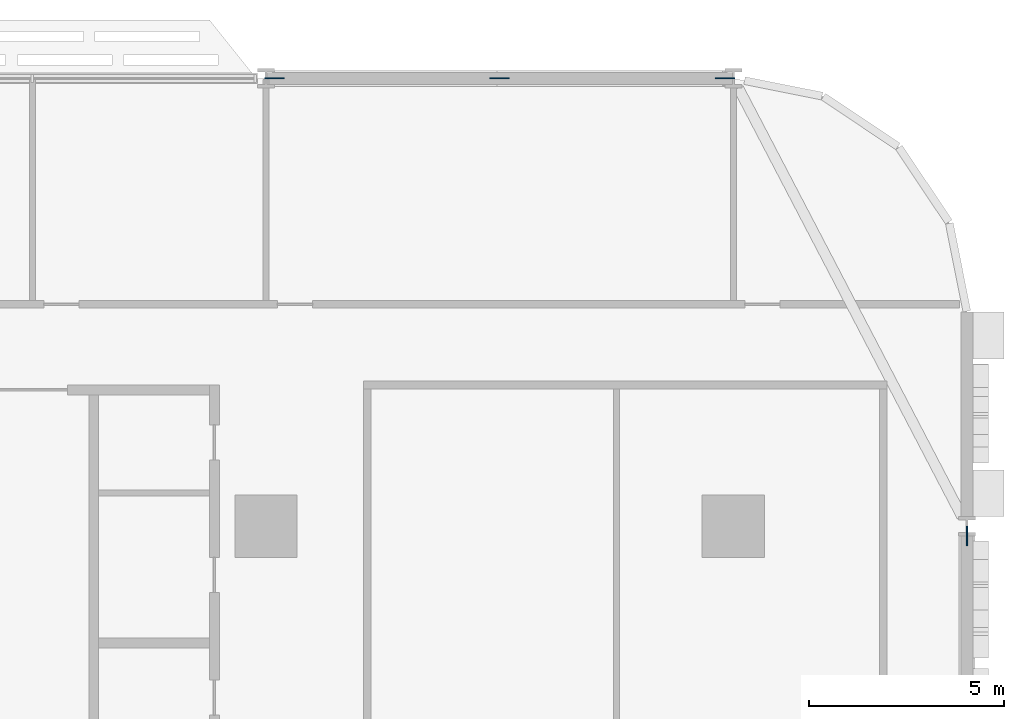
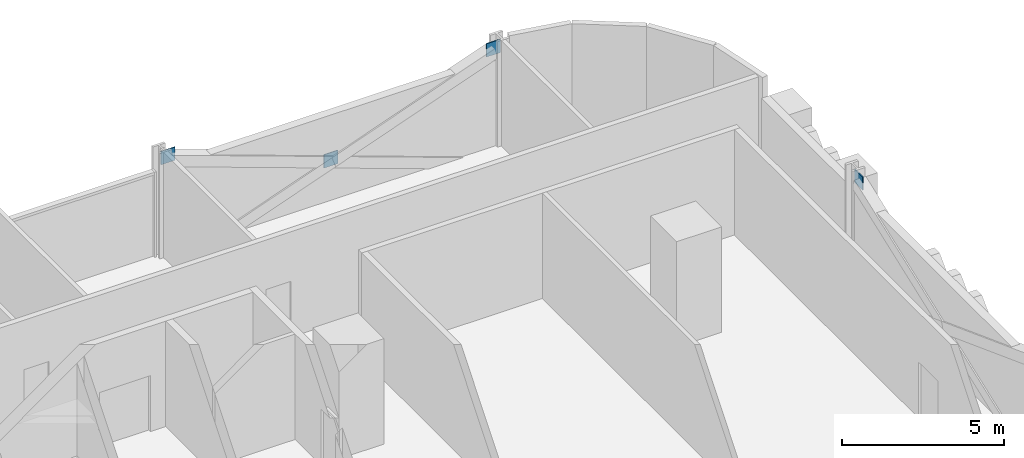
# One storey, part 22 of 29: 4 discrete accessories.
"""IFC4 building model written with IfcOpenShell, lengths in metres."""

from ifc_helpers import new_model, si_unit, direction, frame, origin, origin_2d, place, context, subcontext, project, spatial, rectangle, extrude, material, layer, layer_set, type_object, element, save


model = new_model("IFC4")

# Units and contexts
model_context = context("Model", 3, precision=1e-05, world=origin(), true_north=direction((0.0, 1.0)))
body_context = subcontext(model_context, "Body", "Model", "MODEL_VIEW")
ifc_project = project(units=[si_unit("LENGTHUNIT", "METRE"), si_unit("AREAUNIT", "SQUARE_METRE"), si_unit("VOLUMEUNIT", "CUBIC_METRE"), si_unit("PLANEANGLEUNIT", "RADIAN"), si_unit("MASSUNIT", "GRAM", prefix="KILO")], contexts=[model_context])

# Site, building, storey
site_placement = place(None, origin())
site = spatial("IfcSite", under=ifc_project, at=site_placement, CompositionType="ELEMENT")
building_placement = place(site_placement, origin())
building = spatial("IfcBuilding", under=site, at=building_placement, Name="Mahtab Terrace Research Tower", CompositionType="ELEMENT")
storey_placement = place(building_placement, frame((0.0, 0.0, 20.10009765625)))
storey = spatial("IfcBuildingStorey", under=building, at=storey_placement, Name="L04", CompositionType="ELEMENT", Elevation=20.10009765625)

# Discrete accessories
ifc_material = material(Name="Steel ASTM A992 Gr 50", Category="steel")
ifc_layer = layer(ifc_material, 0.030029296875)
ifc_layer_set = layer_set([ifc_layer], Name="Gusset plate 500x500x30")
discrete_accessory_type = type_object("IfcDiscreteAccessoryType", Name="Gusset plate 500x500x30", PredefinedType="USERDEFINED", material=ifc_layer_set)
for number, where, z_axis, x_axis, name in (
    (1, (30.2158203125, 23.0, 3.331298828125), (0.0, 0.0, 1.0), (1.0, 0.0, 0.0), "Gusset plate"),
    (2, (36.0, 23.0, 1.181396484375), (0.0, 0.0, 1.0), (1.0, 0.0, 0.0), "Gusset plate"),
    (3, (41.7841796875, 23.0, 3.331298828125), (0.0, 0.0, 1.0), (1.0, 0.0, 0.0), "Gusset plate"),
    (4, (48.0, 11.251220703125, 3.331298828125), (0.0, 0.0, 1.0), (0.0, 1.0, 0.0), "Gusset plate"),
):
    element("IfcDiscreteAccessory", number, at=place(storey_placement, frame(where, z_axis=z_axis, x_axis=x_axis)), inside=storey, type_object=discrete_accessory_type, Name=name, ObjectType="GUSSET PLATE", PredefinedType="USERDEFINED", context=body_context, shape_type="SweptSolid", body=[
        extrude(rectangle(XDim=0.5, YDim=0.030029296875, at=origin_2d()), origin(), (0.0, 0.0, 1.0), 0.5),
    ])

save(model, "model.ifc")
